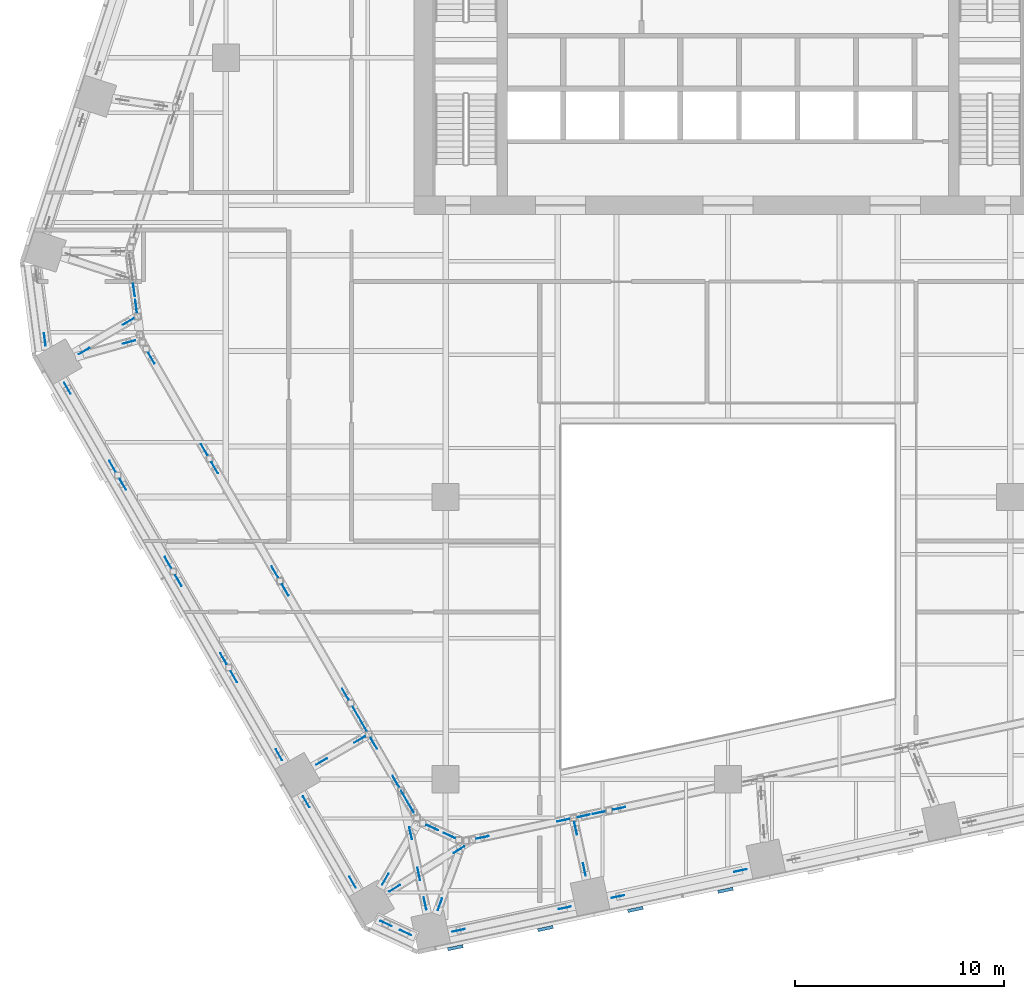
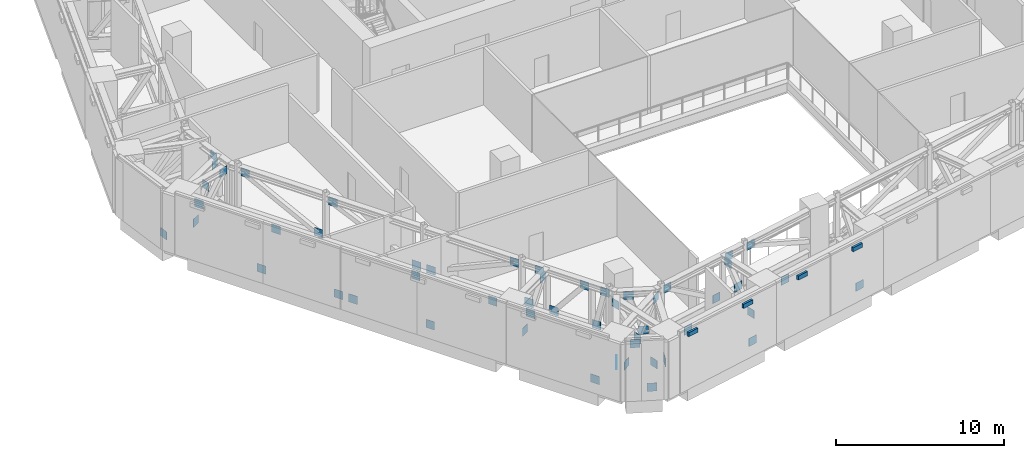
# One storey, part 27 of 36: 56 discrete accessories.
"""IFC4 building model written with IfcOpenShell, lengths in metres."""

from ifc_helpers import new_model, si_unit, direction, frame, origin, origin_2d, place, context, subcontext, project, spatial, rectangle, extrude, material, type_object, element, save


model = new_model("IFC4")

# Units and contexts
model_context = context("Model", 3, precision=1e-05, world=origin(), true_north=direction((0.0, 1.0)))
body_context = subcontext(model_context, "Body", "Model", "MODEL_VIEW")
ifc_project = project(units=[si_unit("LENGTHUNIT", "METRE"), si_unit("AREAUNIT", "SQUARE_METRE"), si_unit("VOLUMEUNIT", "CUBIC_METRE"), si_unit("PLANEANGLEUNIT", "RADIAN"), si_unit("MASSUNIT", "GRAM", prefix="KILO")], contexts=[model_context])

# Site, building, storey
site_placement = place(None, origin())
site = spatial("IfcSite", under=ifc_project, at=site_placement, CompositionType="ELEMENT")
building_placement = place(site_placement, origin())
building = spatial("IfcBuilding", under=site, at=building_placement, Name="Isthmus Gate Tower", CompositionType="ELEMENT")
storey_placement = place(building_placement, frame((0.0, 0.0, 117.14990234375)))
storey = spatial("IfcBuildingStorey", under=building, at=storey_placement, Name="L28", CompositionType="ELEMENT", Elevation=117.14990234375)

# Discrete accessories
ifc_material_1 = material(Name="Structural steel ASTM A572 Gr 50, white paint system", Category="steel")
discrete_accessory_type_1 = type_object("IfcDiscreteAccessoryType", Name="FIN BRACKET 748 X 150 X 300", PredefinedType="BRACKET", material=ifc_material_1)
for number, where, z_axis, x_axis, name in (
    (1, (-13.028564453125, -35.050537109375, 3.9501953125), (0.0, 0.0, 1.0), (0.207911690818, -0.978147600734, 0.0), "FIN BRACKET"),
    (2, (-8.724609375, -34.1357421875, 3.9501953125), (0.0, 0.0, 1.0), (0.207911690818, -0.978147600734, 0.0), "FIN BRACKET"),
    (3, (-4.4208984375, -33.220947265625, 3.9501953125), (0.0, 0.0, 1.0), (0.207911690818, -0.978147600734, 0.0), "FIN BRACKET"),
    (4, (-0.116943359375, -32.305908203125, 3.9501953125), (0.0, 0.0, 1.0), (0.207911690818, -0.978147600734, 0.0), "FIN BRACKET"),
):
    element("IfcDiscreteAccessory", number, at=place(storey_placement, frame(where, z_axis=z_axis, x_axis=x_axis)), inside=storey, type_object=discrete_accessory_type_1, Name=name, PredefinedType="BRACKET", context=body_context, shape_type="SweptSolid", body=[
        extrude(rectangle(XDim=0.14990234375, YDim=0.748046875, at=origin_2d()), origin(), (0.0, 0.0, 1.0), 0.300048828125),
    ])
ifc_material_2 = material(Name="Structural steel ASTM A992 Gr 50", Category="steel")
discrete_accessory_type_2 = type_object("IfcDiscreteAccessoryType", Name="GUSSET PLATE 600 X 20", PredefinedType="USERDEFINED", material=ifc_material_2)
for number, where, z_axis, x_axis, name in (
    (5, (0.602294921875, -31.36083984375, 0.1826171875), (0.0, 0.0, 1.0), (-0.978147600734, -0.207911690818, 0.0), "GUSSET PLATE"),
    (6, (-5.25634765625, -32.606201171875, 3.41748046875), (0.0, 0.0, 1.0), (-0.978147600734, -0.207911690818, 0.0), "GUSSET PLATE"),
    (7, (-7.799560546875, -33.146728515625, 0.1826171875), (0.0, 0.0, 1.0), (-0.978147600734, -0.207911690818, 0.0), "GUSSET PLATE"),
    (8, (-12.87548828125, -34.2255859375, 3.41748046875), (0.0, 0.0, 1.0), (-0.978147600734, -0.207911690818, 0.0), "GUSSET PLATE"),
    (9, (-15.4091796875, -34.32958984375, 0.1826171875), (0.0, 0.0, 1.0), (-0.907256261367, 0.420578264073, 0.0), "GUSSET PLATE"),
    (10, (-16.341552734375, -33.8974609375, 3.41748046875), (0.0, 0.0, 1.0), (-0.907256261367, 0.420578264073, 0.0), "GUSSET PLATE"),
    (11, (-17.941650390625, -31.924072265625, 0.1826171875), (0.0, 0.0, 1.0), (-0.5, 0.866025403784, 0.0), "GUSSET PLATE"),
    (12, (-20.16357421875, -28.075927734375, 3.41748046875), (0.0, 0.0, 1.0), (-0.5, 0.866025403784, 0.0), "GUSSET PLATE"),
    (13, (-23.617919921875, -22.092529296875, 0.1826171875), (0.0, 0.0, 1.0), (0.5, -0.866025403784, 0.0), "GUSSET PLATE"),
    (14, (-21.46337890625, -25.82421875, 3.41748046875), (0.0, 0.0, 1.0), (0.5, -0.866025403784, 0.0), "GUSSET PLATE"),
    (15, (-26.27197265625, -17.49560546875, 0.1826171875), (0.0, 0.0, 1.0), (0.5, -0.866025403784, 0.0), "GUSSET PLATE"),
    (16, (-24.117919921875, -21.226318359375, 3.41748046875), (0.0, 0.0, 1.0), (0.5, -0.866025403784, 0.0), "GUSSET PLATE"),
    (17, (-26.77197265625, -16.629638671875, 0.1826171875), (0.0, 0.0, 1.0), (-0.5, 0.866025403784, 0.0), "GUSSET PLATE"),
    (18, (-28.926513671875, -12.89794921875, 3.41748046875), (0.0, 0.0, 1.0), (-0.5, 0.866025403784, 0.0), "GUSSET PLATE"),
    (19, (-29.426513671875, -12.03173828125, 0.1826171875), (0.0, 0.0, 1.0), (-0.5, 0.866025403784, 0.0), "GUSSET PLATE"),
    (20, (-31.580810546875, -8.300537109375, 3.41748046875), (0.0, 0.0, 1.0), (-0.5, 0.866025403784, 0.0), "GUSSET PLATE"),
    (21, (-32.659423828125, -5.96533203125, 0.1826171875), (0.0, 0.0, 1.0), (-0.129164534, 0.991623175988, 0.0), "GUSSET PLATE"),
    (22, (-30.781982421875, -6.525146484375, 0.7890625), (0.0, 0.0, 1.0), (0.866025403784, 0.5, 0.0), "GUSSET PLATE"),
    (23, (-28.665283203125, -5.1162109375, 3.374755859375), (0.0, 0.0, 1.0), (0.866025403784, 0.5, 0.0), "GUSSET PLATE"),
    (24, (-19.427734375, -26.14990234375, 0.7890625), (0.0, 0.0, 1.0), (0.866025403784, 0.5, 0.0), "GUSSET PLATE"),
    (25, (-17.609130859375, -25.10009765625, 3.374755859375), (0.0, 0.0, 1.0), (0.866025403784, 0.5, 0.0), "GUSSET PLATE"),
    (26, (-15.930908203125, -32.20849609375, 0.7890625), (0.0, 0.0, 1.0), (0.846840387358, 0.53184711933, 0.0), "GUSSET PLATE"),
    (27, (-12.858154296875, -30.36572265625, 3.374755859375), (0.0, 0.0, 1.0), (0.846840387358, 0.53184711933, 0.0), "GUSSET PLATE"),
    (28, (-14.479736328125, -32.930908203125, 0.7890625), (0.0, 0.0, 1.0), (-0.207911690647, 0.97814760077, 0.0), "GUSSET PLATE"),
    (29, (-14.777587890625, -31.52880859375, 1.8515625), (0.0, 0.0, 1.0), (-0.207911690647, 0.97814760077, 0.0), "GUSSET PLATE"),
    (30, (-15.169189453125, -29.577392578125, 3.26953125), (0.0, 0.0, 1.0), (-0.207911690647, 0.97814760077, 0.0), "GUSSET PLATE"),
    (31, (-6.860595703125, -31.311279296875, 0.7890625), (0.0, 0.0, 1.0), (-0.207911690818, 0.978147600734, 0.0), "GUSSET PLATE"),
    (32, (-7.279052734375, -29.3427734375, 3.374755859375), (0.0, 0.0, 1.0), (-0.207911690818, 0.978147600734, 0.0), "GUSSET PLATE"),
    (33, (-13.76806640625, -32.9794921875, 0.7890625), (0.0, 0.0, 1.0), (0.339451668629, 0.940623497827, 0.0), "GUSSET PLATE"),
    (34, (-16.37841796875, -31.776123046875, 0.7890625), (0.0, 0.0, 1.0), (0.502638467263, 0.864496715568, 0.0), "GUSSET PLATE"),
    (35, (-28.63232421875, -6.093994140625, 3.374755859375), (0.0, 0.0, 1.0), (0.963271291295, 0.268530108864, 0.0), "GUSSET PLATE"),
    (36, (-5.1953125, -28.388671875, 3.374755859375), (0.0, 0.0, 1.0), (-0.978147600734, -0.207911690818, 0.0), "GUSSET PLATE"),
    (37, (-6.17333984375, -28.5966796875, 0.7890625), (0.0, 0.0, 1.0), (-0.978147600734, -0.207911690818, 0.0), "GUSSET PLATE"),
    (38, (-6.894287109375, -28.749755859375, 3.374755859375), (0.0, 0.0, 1.0), (-0.978147600734, -0.207911690818, 0.0), "GUSSET PLATE"),
    (39, (-7.87255859375, -28.957763671875, 0.7890625), (0.0, 0.0, 1.0), (-0.978147600734, -0.207911690818, 0.0), "GUSSET PLATE"),
    (40, (-11.739990234375, -29.77978515625, 3.374755859375), (0.0, 0.0, 1.0), (-0.978147600734, -0.207911690818, 0.0), "GUSSET PLATE"),
    (41, (-13.321044921875, -29.6865234375, 0.7890625), (0.0, 0.0, 1.0), (-0.907256261367, 0.420578264073, 0.0), "GUSSET PLATE"),
    (42, (-14.137451171875, -29.307861328125, 3.374755859375), (0.0, 0.0, 1.0), (-0.907256261367, 0.420578264073, 0.0), "GUSSET PLATE"),
    (43, (-15.468994140625, -27.806884765625, 0.7890625), (0.0, 0.0, 1.0), (0.5, -0.866025403784, 0.0), "GUSSET PLATE"),
    (44, (-15.1689453125, -28.326416015625, 3.374755859375), (0.0, 0.0, 1.0), (0.5, -0.866025403784, 0.0), "GUSSET PLATE"),
    (45, (-16.92626953125, -25.28271484375, 0.7890625), (0.0, 0.0, 1.0), (0.5, -0.866025403784, 0.0), "GUSSET PLATE"),
    (46, (-15.876708984375, -27.1005859375, 3.374755859375), (0.0, 0.0, 1.0), (0.5, -0.866025403784, 0.0), "GUSSET PLATE"),
    (47, (-17.786865234375, -23.79248046875, 0.7890625), (0.0, 0.0, 1.0), (0.5, -0.866025403784, 0.0), "GUSSET PLATE"),
    (48, (-17.42626953125, -24.416748046875, 3.374755859375), (0.0, 0.0, 1.0), (0.5, -0.866025403784, 0.0), "GUSSET PLATE"),
    (49, (-21.161865234375, -17.94677734375, 0.7890625), (0.0, 0.0, 1.0), (0.5, -0.866025403784, 0.0), "GUSSET PLATE"),
    (50, (-18.286865234375, -22.92626953125, 3.374755859375), (0.0, 0.0, 1.0), (0.5, -0.866025403784, 0.0), "GUSSET PLATE"),
    (51, (-21.661865234375, -17.08056640625, 0.7890625), (0.0, 0.0, 1.0), (-0.5, 0.866025403784, 0.0), "GUSSET PLATE"),
    (52, (-24.536865234375, -12.10107421875, 3.374755859375), (0.0, 0.0, 1.0), (-0.5, 0.866025403784, 0.0), "GUSSET PLATE"),
    (53, (-25.036865234375, -11.235107421875, 0.7890625), (0.0, 0.0, 1.0), (-0.5, 0.866025403784, 0.0), "GUSSET PLATE"),
    (54, (-27.561767578125, -6.861572265625, 3.374755859375), (0.0, 0.0, 1.0), (-0.5, 0.866025403784, 0.0), "GUSSET PLATE"),
    (55, (-28.397216796875, -3.60009765625, 0.7890625), (0.0, 0.0, 1.0), (0.129164534, -0.991623175988, 0.0), "GUSSET PLATE"),
    (56, (-28.296875, -4.37060546875, 3.374755859375), (0.0, 0.0, 1.0), (0.129164534, -0.991623175988, 0.0), "GUSSET PLATE"),
):
    element("IfcDiscreteAccessory", number, at=place(storey_placement, frame(where, z_axis=z_axis, x_axis=x_axis)), inside=storey, type_object=discrete_accessory_type_2, Name=name, ObjectType="GUSSET PLATE", PredefinedType="USERDEFINED", context=body_context, shape_type="SweptSolid", body=[
        extrude(rectangle(XDim=0.60009765625, YDim=0.02001953125, at=origin_2d()), origin(), (0.0, 0.0, 1.0), 0.60009765625),
    ])

save(model, "model.ifc")
